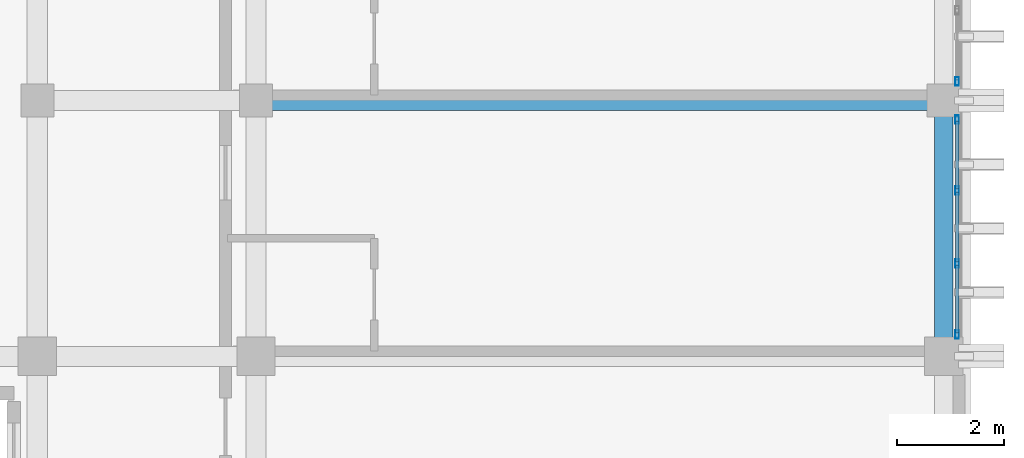
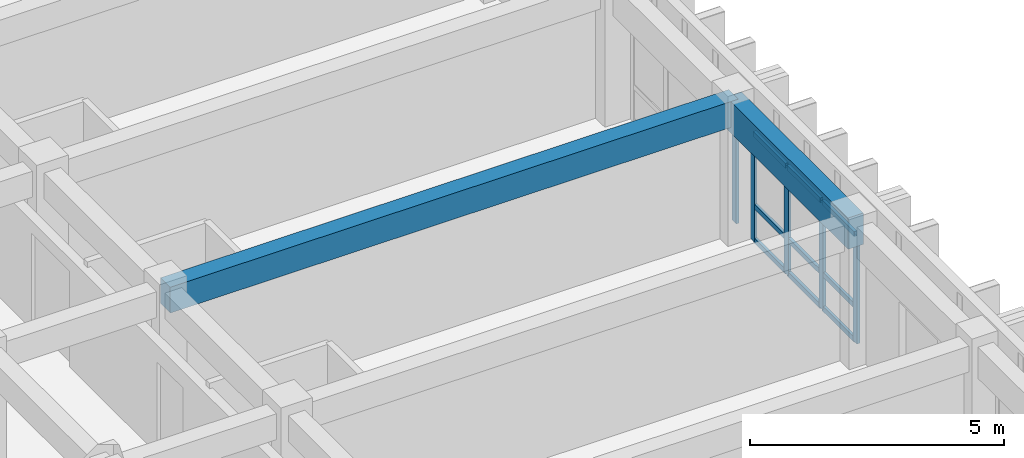
# One storey, part 22 of 59: 14 members, 2 beams, 2 elements without a shape of their own.
"""IFC4 building model written with IfcOpenShell, lengths in metres."""

from ifc_helpers import new_model, si_unit, direction, frame, origin, origin_2d, place, context, subcontext, project, spatial, rectangle, hollow_rectangle, extrude, material, layer, layer_set, material_profile, profile_set, type_object, element, aggregate, save


model = new_model("IFC4")

# Units and contexts
model_context = context("Model", 3, precision=1e-05, world=origin(), true_north=direction((0.0, 1.0)))
body_context = subcontext(model_context, "Body", "Model", "MODEL_VIEW")
ifc_project = project(units=[si_unit("LENGTHUNIT", "METRE"), si_unit("AREAUNIT", "SQUARE_METRE"), si_unit("VOLUMEUNIT", "CUBIC_METRE"), si_unit("PLANEANGLEUNIT", "RADIAN"), si_unit("MASSUNIT", "GRAM", prefix="KILO")], contexts=[model_context])

# Site, building, storey
site_placement = place(None, origin())
site = spatial("IfcSite", under=ifc_project, at=site_placement, CompositionType="ELEMENT")
building_placement = place(site_placement, origin())
building = spatial("IfcBuilding", under=site, at=building_placement, Name="Nakhvara Creek Congress Hotel", CompositionType="ELEMENT")
storey_placement = place(building_placement, frame((0.0, 0.0, 31.800048828125)))
storey = spatial("IfcBuildingStorey", under=building, at=storey_placement, Name="L07", CompositionType="ELEMENT", Elevation=31.800048828125)

# Beams
ifc_material_1 = material(Name="Concrete C40/50", Category="concrete")
ifc_material_profile_1 = material_profile(ifc_material_1, rectangle(XDim=0.3798828125, YDim=0.6201171875, at=origin_2d()), Name="RC-BM 380x620", Category="LoadBearing")
ifc_profile_set_1 = profile_set([ifc_material_profile_1], Name="Concrete C40/50")
beam_type_1 = type_object("IfcBeamType", Name="BM-RC-380X620", PredefinedType="BEAM", material=ifc_profile_set_1)
beam_1_placement = place(storey_placement, frame((166.449951171875, 81.60009765625, 3.050048828125), z_axis=(1.0, 0.0, 0.0), x_axis=(0.0, 1.0, 0.0)))
element("IfcBeam", 1, at=beam_1_placement, inside=storey, type_object=beam_type_1, Name="Beam B10-L07-2424", PredefinedType="BEAM", context=body_context, shape_type="SweptSolid", body=[
    extrude(rectangle(XDim=0.3798828125, YDim=0.6201171875, at=origin_2d()), origin(), (0.0, 0.0, 1.0), 12.900146484375),
])
ifc_material_profile_2 = material_profile(ifc_material_1, rectangle(XDim=0.35009765625, YDim=0.75, at=origin_2d()), Name="RC-SPANDREL 350x750", Category="LoadBearing")
ifc_profile_set_2 = profile_set([ifc_material_profile_2], Name="Concrete C40/50")
beam_type_2 = type_object("IfcBeamType", Name="BM-SPN-350X750", PredefinedType="SPANDREL", material=ifc_profile_set_2)
beam_2_placement = place(storey_placement, frame((179.35009765625, 76.800048828125, 2.98486328125), z_axis=(0.0, 1.0, 0.0), x_axis=(-1.0, 0.0, 0.0)))
element("IfcBeam", 2, at=beam_2_placement, inside=storey, type_object=beam_type_2, Name="Beam SP1-L07-2397", PredefinedType="SPANDREL", context=body_context, shape_type="SweptSolid", body=[
    extrude(rectangle(XDim=0.35009765625, YDim=0.75, at=origin_2d()), origin(), (0.0, 0.0, 1.0), 4.800048828125),
])

# Curtain wall, members
ifc_material_2 = material(Name="Bronze-anodised aluminium AW-6063-T6 and double-silver low-E glass", Category="aluminium")
ifc_layer = layer(ifc_material_2, 0.199951171875)
ifc_layer_set = layer_set([ifc_layer], Name="Bronze-anodised aluminium AW-6063-T6 and double-silver low-E glass")
curtain_wall_type = type_object("IfcCurtainWallType", Name="CW-HTL-UNIT", PredefinedType="USERDEFINED", material=ifc_layer_set)
curtain_wall_1_placement = place(storey_placement, origin())
curtain_wall_1 = element("IfcCurtainWall", 3, at=curtain_wall_1_placement, inside=storey, type_object=curtain_wall_type, Name="Curtain Wall CW261", ObjectType="UNITISED", PredefinedType="USERDEFINED")
ifc_material_3 = material(Name="Bronze-anodised aluminium AW-6063-T6", Category="aluminium")
ifc_material_profile_3 = material_profile(ifc_material_3, hollow_rectangle(XDim=0.06494140625, YDim=0.159912109375, WallThickness=0.00390625, at=origin_2d()), Name="ALU-MULL 65x160x4", Category="LoadBearing")
ifc_profile_set_3 = profile_set([ifc_material_profile_3], Name="Bronze-anodised aluminium AW-6063-T6")
member_type_1 = type_object("IfcMemberType", Name="CW-MULL-160", PredefinedType="MULLION", material=ifc_profile_set_3)
member_1_placement = place(storey_placement, frame((179.60009765625, 81.242431640625, 0.0), z_axis=(0.0, 0.0, 1.0), x_axis=(1.0, 0.0, 0.0)))
member_1 = element("IfcMember", 4, at=member_1_placement, type_object=member_type_1, Name="CW261 mullion 1", PredefinedType="MULLION", context=body_context, shape_type="SweptSolid", body=[
    extrude(hollow_rectangle(XDim=0.06494140625, YDim=0.159912109375, WallThickness=0.00390625, at=origin_2d()), origin(), (0.0, 0.0, 1.0), 2.60205078125),
])
member_2_placement = place(storey_placement, frame((179.60009765625, 79.908447265625, 0.0), z_axis=(0.0, 0.0, 1.0), x_axis=(1.0, 0.0, 0.0)))
member_2 = element("IfcMember", 5, at=member_2_placement, type_object=member_type_1, Name="CW261 mullion 2", PredefinedType="MULLION", context=body_context, shape_type="SweptSolid", body=[
    extrude(hollow_rectangle(XDim=0.06494140625, YDim=0.159912109375, WallThickness=0.00390625, at=origin_2d()), origin(), (0.0, 0.0, 1.0), 2.60205078125),
])
member_3_placement = place(storey_placement, frame((179.60009765625, 78.541748046875, 0.0), z_axis=(0.0, 0.0, 1.0), x_axis=(1.0, 0.0, 0.0)))
member_3 = element("IfcMember", 6, at=member_3_placement, type_object=member_type_1, Name="CW261 mullion 3", PredefinedType="MULLION", context=body_context, shape_type="SweptSolid", body=[
    extrude(hollow_rectangle(XDim=0.06494140625, YDim=0.159912109375, WallThickness=0.00390625, at=origin_2d()), origin(), (0.0, 0.0, 1.0), 2.60205078125),
])
member_4_placement = place(storey_placement, frame((179.60009765625, 77.20751953125, 0.0), z_axis=(0.0, 0.0, 1.0), x_axis=(1.0, 0.0, 0.0)))
member_4 = element("IfcMember", 7, at=member_4_placement, type_object=member_type_1, Name="CW261 mullion 4", PredefinedType="MULLION", context=body_context, shape_type="SweptSolid", body=[
    extrude(hollow_rectangle(XDim=0.06494140625, YDim=0.159912109375, WallThickness=0.00390625, at=origin_2d()), origin(), (0.0, 0.0, 1.0), 2.60205078125),
])

# Curtain wall, member
curtain_wall_2_placement = place(storey_placement, origin())
curtain_wall_2 = element("IfcCurtainWall", 8, at=curtain_wall_2_placement, inside=storey, type_object=curtain_wall_type, Name="Curtain Wall CW263", ObjectType="UNITISED", PredefinedType="USERDEFINED")
member_5_placement = place(storey_placement, frame((179.60009765625, 81.95751953125, 0.0), z_axis=(0.0, 0.0, 1.0), x_axis=(1.0, 0.0, 0.0)))
member_5 = element("IfcMember", 9, at=member_5_placement, type_object=member_type_1, Name="CW263 mullion 4", PredefinedType="MULLION", context=body_context, shape_type="SweptSolid", body=[
    extrude(hollow_rectangle(XDim=0.06494140625, YDim=0.159912109375, WallThickness=0.00390625, at=origin_2d()), origin(), (0.0, 0.0, 1.0), 2.60205078125),
])
aggregate(curtain_wall_2, [member_5])

# Member
ifc_material_profile_4 = material_profile(ifc_material_3, hollow_rectangle(XDim=0.06494140625, YDim=0.1201171875, WallThickness=0.00390625, at=origin_2d()), Name="ALU-TRAN 65x120x4", Category="LoadBearing")
ifc_profile_set_4 = profile_set([ifc_material_profile_4], Name="Bronze-anodised aluminium AW-6063-T6")
member_type_2 = type_object("IfcMemberType", Name="CW-TRAN-120", PredefinedType="USERDEFINED", material=ifc_profile_set_4)
member_6_placement = place(storey_placement, frame((179.60009765625, 81.2099609375, 0.032470703125), z_axis=(0.0, -1.0, 0.0), x_axis=(1.0, 0.0, 0.0)))
member_6 = element("IfcMember", 10, at=member_6_placement, type_object=member_type_2, Name="CW261 transom 1.1", ObjectType="TRANSOM", PredefinedType="USERDEFINED", context=body_context, shape_type="SweptSolid", body=[
    extrude(hollow_rectangle(XDim=0.06494140625, YDim=0.1201171875, WallThickness=0.00390625, at=origin_2d()), origin(), (0.0, 0.0, 1.0), 1.26904296875),
])

member_7_placement = place(storey_placement, frame((179.60009765625, 81.2099609375, 0.849853515625), z_axis=(0.0, -1.0, 0.0), x_axis=(1.0, 0.0, 0.0)))
member_7 = element("IfcMember", 11, at=member_7_placement, type_object=member_type_2, Name="CW261 transom 1.2", ObjectType="TRANSOM", PredefinedType="USERDEFINED", context=body_context, shape_type="SweptSolid", body=[
    extrude(hollow_rectangle(XDim=0.06494140625, YDim=0.1201171875, WallThickness=0.00390625, at=origin_2d()), origin(), (0.0, 0.0, 1.0), 1.26904296875),
])

member_8_placement = place(storey_placement, frame((179.60009765625, 81.2099609375, 2.5693359375), z_axis=(0.0, -1.0, 0.0), x_axis=(1.0, 0.0, 0.0)))
member_8 = element("IfcMember", 12, at=member_8_placement, type_object=member_type_2, Name="CW261 transom 1.3", ObjectType="TRANSOM", PredefinedType="USERDEFINED", context=body_context, shape_type="SweptSolid", body=[
    extrude(hollow_rectangle(XDim=0.06494140625, YDim=0.1201171875, WallThickness=0.00390625, at=origin_2d()), origin(), (0.0, 0.0, 1.0), 1.26904296875),
])

member_9_placement = place(storey_placement, frame((179.60009765625, 79.875732421875, 0.032470703125), z_axis=(0.0, -1.0, 0.0), x_axis=(1.0, 0.0, 0.0)))
member_9 = element("IfcMember", 13, at=member_9_placement, type_object=member_type_2, Name="CW261 transom 2.1", ObjectType="TRANSOM", PredefinedType="USERDEFINED", context=body_context, shape_type="SweptSolid", body=[
    extrude(hollow_rectangle(XDim=0.06494140625, YDim=0.1201171875, WallThickness=0.00390625, at=origin_2d()), origin(), (0.0, 0.0, 1.0), 1.301513671875),
])

member_10_placement = place(storey_placement, frame((179.60009765625, 79.875732421875, 0.849853515625), z_axis=(0.0, -1.0, 0.0), x_axis=(1.0, 0.0, 0.0)))
member_10 = element("IfcMember", 14, at=member_10_placement, type_object=member_type_2, Name="CW261 transom 2.2", ObjectType="TRANSOM", PredefinedType="USERDEFINED", context=body_context, shape_type="SweptSolid", body=[
    extrude(hollow_rectangle(XDim=0.06494140625, YDim=0.1201171875, WallThickness=0.00390625, at=origin_2d()), origin(), (0.0, 0.0, 1.0), 1.301513671875),
])

member_11_placement = place(storey_placement, frame((179.60009765625, 79.875732421875, 2.5693359375), z_axis=(0.0, -1.0, 0.0), x_axis=(1.0, 0.0, 0.0)))
member_11 = element("IfcMember", 15, at=member_11_placement, type_object=member_type_2, Name="CW261 transom 2.3", ObjectType="TRANSOM", PredefinedType="USERDEFINED", context=body_context, shape_type="SweptSolid", body=[
    extrude(hollow_rectangle(XDim=0.06494140625, YDim=0.1201171875, WallThickness=0.00390625, at=origin_2d()), origin(), (0.0, 0.0, 1.0), 1.301513671875),
])

member_12_placement = place(storey_placement, frame((179.60009765625, 78.50927734375, 0.032470703125), z_axis=(0.0, -1.0, 0.0), x_axis=(1.0, 0.0, 0.0)))
member_12 = element("IfcMember", 16, at=member_12_placement, type_object=member_type_2, Name="CW261 transom 3.1", ObjectType="TRANSOM", PredefinedType="USERDEFINED", context=body_context, shape_type="SweptSolid", body=[
    extrude(hollow_rectangle(XDim=0.06494140625, YDim=0.1201171875, WallThickness=0.00390625, at=origin_2d()), origin(), (0.0, 0.0, 1.0), 1.269287109375),
])

member_13_placement = place(storey_placement, frame((179.60009765625, 78.50927734375, 0.849853515625), z_axis=(0.0, -1.0, 0.0), x_axis=(1.0, 0.0, 0.0)))
member_13 = element("IfcMember", 17, at=member_13_placement, type_object=member_type_2, Name="CW261 transom 3.2", ObjectType="TRANSOM", PredefinedType="USERDEFINED", context=body_context, shape_type="SweptSolid", body=[
    extrude(hollow_rectangle(XDim=0.06494140625, YDim=0.1201171875, WallThickness=0.00390625, at=origin_2d()), origin(), (0.0, 0.0, 1.0), 1.269287109375),
])

member_14_placement = place(storey_placement, frame((179.60009765625, 78.50927734375, 2.5693359375), z_axis=(0.0, -1.0, 0.0), x_axis=(1.0, 0.0, 0.0)))
member_14 = element("IfcMember", 18, at=member_14_placement, type_object=member_type_2, Name="CW261 transom 3.3", ObjectType="TRANSOM", PredefinedType="USERDEFINED", context=body_context, shape_type="SweptSolid", body=[
    extrude(hollow_rectangle(XDim=0.06494140625, YDim=0.1201171875, WallThickness=0.00390625, at=origin_2d()), origin(), (0.0, 0.0, 1.0), 1.269287109375),
])

aggregate(curtain_wall_1, [member_1, member_2, member_3, member_4, member_6, member_7, member_8, member_9, member_10, member_11, member_12, member_13, member_14])

save(model, "model.ifc")
